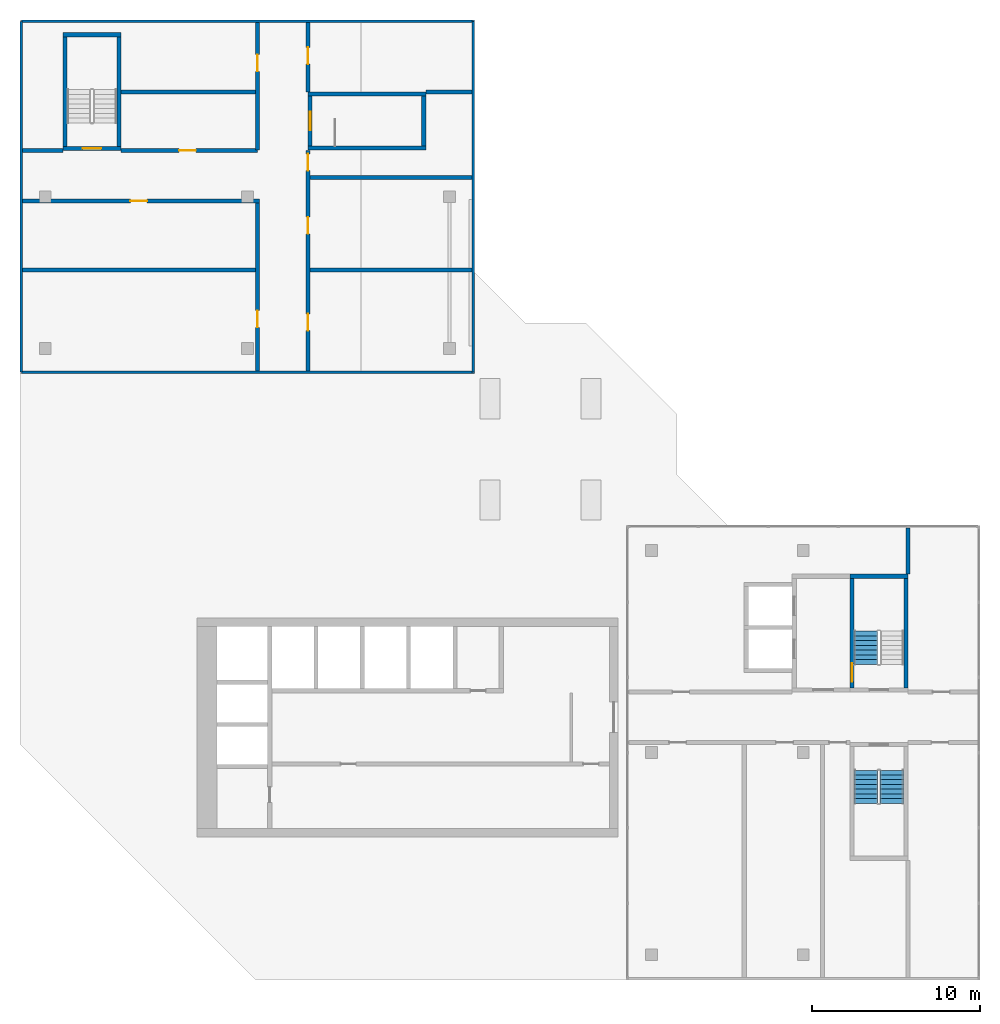
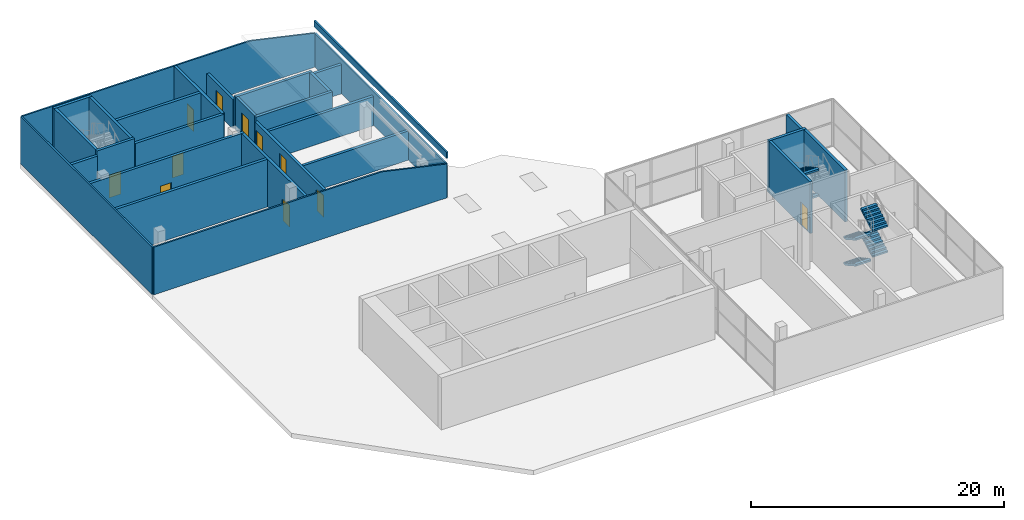
# One storey, part 6 of 8: 29 walls, 11 doors, 6 stair flights, 11 openings, 2 elements without a shape of their own.
"""IFC4 building model written with IfcOpenShell, lengths in metres."""

from ifc_helpers import new_model, si_unit, direction, frame, frame_2d, origin, place, context, subcontext, project, spatial, polyline, rectangle, outline, extrude, material, layer, layer_set, type_object, element, fill, aggregate, save


model = new_model("IFC4")

# Units and contexts
model_context = context("Model", 3, precision=1e-05, world=origin(), true_north=direction((0.0, 1.0)))
body_context = subcontext(model_context, "Body", "Model", "MODEL_VIEW")
ifc_project = project(units=[si_unit("LENGTHUNIT", "METRE"), si_unit("AREAUNIT", "SQUARE_METRE"), si_unit("VOLUMEUNIT", "CUBIC_METRE"), si_unit("PLANEANGLEUNIT", "RADIAN"), si_unit("MASSUNIT", "GRAM", prefix="KILO")], contexts=[model_context])

# Site, building, storey
site_placement = place(None, origin())
site = spatial("IfcSite", under=ifc_project, at=site_placement, CompositionType="ELEMENT")
building_placement = place(site_placement, origin())
building = spatial("IfcBuilding", under=site, at=building_placement, Name="Chenar Terraces", CompositionType="ELEMENT")
storey_placement = place(building_placement, frame((0.0, 0.0, 383.89990234375)))
storey = spatial("IfcBuildingStorey", under=building, at=storey_placement, Name="L90", CompositionType="ELEMENT", Elevation=383.89990234375)

# Wall
ifc_material_1 = material(Name="Concrete C40/50", Category="concrete")
ifc_layer_1 = layer(ifc_material_1, 0.25)
ifc_layer_set_1 = layer_set([ifc_layer_1], Name="Concrete C40/50")
wall_type_1 = type_object("IfcWallType", Name="Core wall 250 Concrete C40/50", PredefinedType="SHEAR", material=ifc_layer_set_1)
wall_1_placement = place(storey_placement, frame((47.77490234375, 22.47509765625, 0.0), z_axis=(0.0, 0.0, 1.0), x_axis=(1.0, 0.0, 0.0)))
element("IfcWall", 1, at=wall_1_placement, inside=storey, type_object=wall_type_1, Name="Core wall ST3_N L90", PredefinedType="SHEAR", context=body_context, shape_type="SweptSolid", body=[
    extrude(rectangle(XDim=3.4501953125, YDim=0.25, at=frame_2d((1.72509765625, 0.0))), origin(), (0.0, 0.0, 1.0), 5.0),
])

# Wall, opening, door
wall_2_placement = place(storey_placement, frame((47.89990234375, 15.85009765625, 0.0), z_axis=(0.0, 0.0, 1.0), x_axis=(0.0, 1.0, 0.0)))
wall_2 = element("IfcWall", 2, at=wall_2_placement, inside=storey, type_object=wall_type_1, Name="Core wall ST3_W L90", PredefinedType="SHEAR", context=body_context, shape_type="SweptSolid", body=[
    extrude(rectangle(XDim=6.5, YDim=0.25, at=frame_2d((3.25, 0.0))), origin(), (0.0, 0.0, 1.0), 5.0),
])
opening_1_placement = place(wall_2_placement, frame((0.35009765625, 0.0, 0.0)))
opening_1 = element("IfcOpeningElement", 3, at=opening_1_placement, cuts=wall_2, Name="Opening DL90-C8", PredefinedType="OPENING", context=body_context, shape_type="SweptSolid", body=[
    extrude(rectangle(XDim=1.10009765625, YDim=2.199951171875, at=frame_2d((0.550048828125, 1.10009765625))), frame((0.0, 0.135009765625, 0.0), z_axis=(0.0, -1.0, 0.0), x_axis=(1.0, 0.0, 0.0)), (0.0, 0.0, 1.0), 0.27001953125),
])
ifc_material_2 = material(Name="Steel-framed fire-resisting door leaf", Category="steel")
door_type_1 = type_object("IfcDoorType", Name="Stair fire door FD60 1100 x 2200", OperationType="SINGLE_SWING_LEFT", PredefinedType="DOOR", material=ifc_material_2)
door_1_placement = place(opening_1_placement, origin())
door_1 = element("IfcDoor", 4, at=door_1_placement, inside=storey, type_object=door_type_1, Name="Stair door DL90-C8", OperationType="SINGLE_SWING_LEFT", OverallHeight=2.199951171875, OverallWidth=1.10009765625, PredefinedType="DOOR", context=body_context, shape_type="SweptSolid", body=[
    extrude(rectangle(XDim=1.10009765625, YDim=2.199951171875, at=frame_2d((0.550048828125, 1.10009765625))), frame((0.0, 0.02490234375, 0.0), z_axis=(0.0, -1.0, 0.0), x_axis=(1.0, 0.0, 0.0)), (0.0, 0.0, 1.0), 0.050048828125),
])
fill(opening_1, door_1)

# Walls
wall_3_placement = place(storey_placement, frame((51.10009765625, 15.85009765625, 0.0), z_axis=(0.0, 0.0, 1.0), x_axis=(0.0, 1.0, 0.0)))
element("IfcWall", 5, at=wall_3_placement, inside=storey, type_object=wall_type_1, Name="Core wall ST3_E L90", PredefinedType="SHEAR", context=body_context, shape_type="SweptSolid", body=[
    extrude(rectangle(XDim=6.5, YDim=0.25, at=frame_2d((3.25, 0.0))), origin(), (0.0, 0.0, 1.0), 5.0),
])
for number, where, z_axis, x_axis, name in (
    (6, (15.60009765625, 47.89990234375, 0.0), (0.0, 0.0, 1.0), (1.0, 0.0, 0.0), "Core wall ST4_S L90"),
    (7, (15.60009765625, 51.10009765625, 0.0), (0.0, 0.0, 1.0), (1.0, 0.0, 0.0), "Core wall ST4_N L90"),
):
    element("IfcWall", number, at=place(storey_placement, frame(where, z_axis=z_axis, x_axis=x_axis)), inside=storey, type_object=wall_type_1, Name=name, PredefinedType="SHEAR", context=body_context, shape_type="SweptSolid", body=[
        extrude(rectangle(XDim=7.0, YDim=0.25, at=frame_2d((3.5, 0.0))), origin(), (0.0, 0.0, 1.0), 3.170166015625),
    ])

# Wall, opening, door
wall_4_placement = place(storey_placement, frame((15.72509765625, 48.02490234375, 0.0), z_axis=(0.0, 0.0, 1.0), x_axis=(0.0, 1.0, 0.0)))
wall_4 = element("IfcWall", 8, at=wall_4_placement, inside=storey, type_object=wall_type_1, Name="Core wall ST4_W L90", PredefinedType="SHEAR", context=body_context, shape_type="SweptSolid", body=[
    extrude(rectangle(XDim=2.9501953125, YDim=0.25, at=frame_2d((1.47509765625, 0.0))), origin(), (0.0, 0.0, 1.0), 3.170166015625),
])
opening_2_placement = place(wall_4_placement, frame((0.925048828125, 0.0, 0.0)))
opening_2 = element("IfcOpeningElement", 9, at=opening_2_placement, cuts=wall_4, Name="Opening DL90-C4", PredefinedType="OPENING", context=body_context, shape_type="SweptSolid", body=[
    extrude(rectangle(XDim=1.10009765625, YDim=2.199951171875, at=frame_2d((0.550048828125, 1.10009765625))), frame((0.0, 0.135009765625, 0.0), z_axis=(0.0, -1.0, 0.0), x_axis=(1.0, 0.0, 0.0)), (0.0, 0.0, 1.0), 0.27001953125),
])
door_2_placement = place(opening_2_placement, frame((1.10009765625, 0.0, 0.0), z_axis=(0.0, 0.0, 1.0), x_axis=(-1.0, 0.0, 0.0)))
door_2 = element("IfcDoor", 10, at=door_2_placement, inside=storey, type_object=door_type_1, Name="Stair door DL90-C4", OperationType="SINGLE_SWING_RIGHT", OverallHeight=2.199951171875, OverallWidth=1.10009765625, PredefinedType="DOOR", context=body_context, shape_type="SweptSolid", body=[
    extrude(rectangle(XDim=1.10009765625, YDim=2.199951171875, at=frame_2d((0.550048828125, 1.10009765625))), frame((0.0, 0.02490234375, 0.0), z_axis=(0.0, -1.0, 0.0), x_axis=(1.0, 0.0, 0.0)), (0.0, 0.0, 1.0), 0.050048828125),
])
fill(opening_2, door_2)

# Wall
wall_5_placement = place(storey_placement, frame((22.47509765625, 48.02490234375, 0.0), z_axis=(0.0, 0.0, 1.0), x_axis=(0.0, 1.0, 0.0)))
element("IfcWall", 11, at=wall_5_placement, inside=storey, type_object=wall_type_1, Name="Core wall ST4_E L90", PredefinedType="SHEAR", context=body_context, shape_type="SweptSolid", body=[
    extrude(rectangle(XDim=2.9501953125, YDim=0.25, at=frame_2d((1.47509765625, 0.0))), origin(), (0.0, 0.0, 1.0), 3.170166015625),
])

# Wall, opening, door
wall_6_placement = place(storey_placement, frame((1.050048828125, 47.875, 0.0), z_axis=(0.0, 0.0, 1.0), x_axis=(1.0, 0.0, 0.0)))
wall_6 = element("IfcWall", 12, at=wall_6_placement, inside=storey, type_object=wall_type_1, Name="Core wall ST6_S L90", PredefinedType="SHEAR", context=body_context, shape_type="SweptSolid", body=[
    extrude(rectangle(XDim=3.449951171875, YDim=0.25, at=frame_2d((1.72509765625, 0.0))), origin(), (0.0, 0.0, 1.0), 5.0),
])
opening_3_placement = place(wall_6_placement, frame((1.175048828125, 0.0, 0.0)))
opening_3 = element("IfcOpeningElement", 13, at=opening_3_placement, cuts=wall_6, Name="Opening DL90-C6", PredefinedType="OPENING", context=body_context, shape_type="SweptSolid", body=[
    extrude(rectangle(XDim=1.10009765625, YDim=2.199951171875, at=frame_2d((0.550048828125, 1.10009765625))), frame((0.0, 0.135009765625, 0.0), z_axis=(0.0, -1.0, 0.0), x_axis=(1.0, 0.0, 0.0)), (0.0, 0.0, 1.0), 0.27001953125),
])
door_3_placement = place(opening_3_placement, origin())
door_3 = element("IfcDoor", 14, at=door_3_placement, inside=storey, type_object=door_type_1, Name="Stair door DL90-C6", OperationType="SINGLE_SWING_RIGHT", OverallHeight=2.199951171875, OverallWidth=1.10009765625, PredefinedType="DOOR", context=body_context, shape_type="SweptSolid", body=[
    extrude(rectangle(XDim=1.10009765625, YDim=2.199951171875, at=frame_2d((0.550048828125, 1.10009765625))), frame((0.0, 0.02490234375, 0.0), z_axis=(0.0, -1.0, 0.0), x_axis=(1.0, 0.0, 0.0)), (0.0, 0.0, 1.0), 0.050048828125),
])
fill(opening_3, door_3)

# Walls
wall_7_placement = place(storey_placement, frame((1.050048828125, 54.625, 0.0), z_axis=(0.0, 0.0, 1.0), x_axis=(1.0, 0.0, 0.0)))
element("IfcWall", 15, at=wall_7_placement, inside=storey, type_object=wall_type_1, Name="Core wall ST6_N L90", PredefinedType="SHEAR", context=body_context, shape_type="SweptSolid", body=[
    extrude(rectangle(XDim=3.449951171875, YDim=0.25, at=frame_2d((1.72509765625, 0.0))), origin(), (0.0, 0.0, 1.0), 5.0),
])
for number, where, z_axis, x_axis, name in (
    (16, (1.175048828125, 48.0, 0.0), (0.0, 0.0, 1.0), (0.0, 1.0, 0.0), "Core wall ST6_W L90"),
    (17, (4.375, 48.0, 0.0), (0.0, 0.0, 1.0), (0.0, 1.0, 0.0), "Core wall ST6_E L90"),
):
    element("IfcWall", number, at=place(storey_placement, frame(where, z_axis=z_axis, x_axis=x_axis)), inside=storey, type_object=wall_type_1, Name=name, PredefinedType="SHEAR", context=body_context, shape_type="SweptSolid", body=[
        extrude(rectangle(XDim=6.5, YDim=0.25, at=frame_2d((3.25, 0.0))), origin(), (0.0, 0.0, 1.0), 5.0),
    ])
ifc_material_3 = material(Name="Terracotta cladding on insulated backing", Category="masonry")
ifc_layer_2 = layer(ifc_material_3, 0.14990234375)
ifc_layer_set_2 = layer_set([ifc_layer_2], Name="Terracotta cladding on insulated backing")
wall_type_2 = type_object("IfcWallType", Name="Crown parapet 150", PredefinedType="PARAPET", material=ifc_layer_set_2)
wall_8_placement = place(storey_placement, frame((25.425048828125, 34.5, 3.80712890625), z_axis=(0.0, 0.0, 1.0), x_axis=(0.0, 1.0, 0.0)))
element("IfcWall", 18, at=wall_8_placement, inside=storey, type_object=wall_type_2, Name="Crown parapet", PredefinedType="PARAPET", context=body_context, shape_type="SweptSolid", body=[
    extrude(rectangle(XDim=21.0, YDim=0.14990234375, at=frame_2d((10.5, 0.0))), origin(), (0.0, 0.0, 1.0), 0.599853515625),
])
ifc_material_4 = material(Name="Terracotta cladding on insulated backing", Category="masonry")
ifc_layer_3 = layer(ifc_material_4, 0.14990234375)
ifc_layer_set_3 = layer_set([ifc_layer_3], Name="Terracotta cladding on insulated backing")
wall_type_3 = type_object("IfcWallType", Name="Crown terracotta wall 150", PredefinedType="SOLIDWALL", material=ifc_layer_set_3)
wall_9_placement = place(storey_placement, frame((25.425048828125, 34.60009765625, 0.0), z_axis=(0.0, 0.0, 1.0), x_axis=(0.0, 1.0, 0.0)))
element("IfcWall", 19, at=wall_9_placement, inside=storey, type_object=wall_type_3, Name="Crown terracotta wall", PredefinedType="SOLIDWALL", context=body_context, shape_type="SweptSolid", body=[
    extrude(outline(polyline([(0.0, 0.0), (20.7998046875, 0.0), (20.800048828125, 3.260986328125), (0.0, 3.260986328125), (0.0, 0.0)])), frame((0.0, 0.074951171875, 0.0), z_axis=(0.0, -1.0, 0.0), x_axis=(1.0, 0.0, 0.0)), (0.0, 0.0, 1.0), 0.14990234375),
])
wall_10_placement = place(storey_placement, frame((25.39990234375, 55.425048828125, 0.0), z_axis=(0.0, 0.0, 1.0), x_axis=(-1.0, 0.0, 0.0)))
element("IfcWall", 20, at=wall_10_placement, inside=storey, type_object=wall_type_3, Name="Crown terracotta wall", PredefinedType="SOLIDWALL", context=body_context, shape_type="SweptSolid", body=[
    extrude(outline(polyline([(0.0, 0.0), (26.7998046875, 0.0), (26.800048828125, 4.60009765625), (6.947998046875, 4.60009765625), (5.95556640625, 4.591064453125), (0.0, 3.26611328125), (0.0, 0.0)])), frame((0.0, 0.074951171875, 0.0), z_axis=(0.0, -1.0, 0.0), x_axis=(1.0, 0.0, 0.0)), (0.0, 0.0, 1.0), 0.14990234375),
])
wall_11_placement = place(storey_placement, frame((-1.425048828125, 55.39990234375, 0.0), z_axis=(0.0, 0.0, 1.0), x_axis=(0.0, -1.0, 0.0)))
element("IfcWall", 21, at=wall_11_placement, inside=storey, type_object=wall_type_3, Name="Crown terracotta wall", PredefinedType="SOLIDWALL", context=body_context, shape_type="SweptSolid", body=[
    extrude(rectangle(XDim=20.7998046875, YDim=0.14990234375, at=frame_2d((10.39990234375, 0.0))), origin(), (0.0, 0.0, 1.0), 4.60009765625),
])
wall_12_placement = place(storey_placement, frame((-1.39990234375, 34.574951171875, 0.0), z_axis=(0.0, 0.0, 1.0), x_axis=(1.0, 0.0, 0.0)))
element("IfcWall", 22, at=wall_12_placement, inside=storey, type_object=wall_type_3, Name="Crown terracotta wall", PredefinedType="SOLIDWALL", context=body_context, shape_type="SweptSolid", body=[
    extrude(outline(polyline([(0.0, 0.0), (26.7998046875, 0.0), (26.800048828125, 3.26611328125), (20.844482421875, 4.591064453125), (19.851806640625, 4.60009765625), (0.0, 4.60009765625), (0.0, 0.0)])), frame((0.0, 0.074951171875, 0.0), z_axis=(0.0, -1.0, 0.0), x_axis=(1.0, 0.0, 0.0)), (0.0, 0.0, 1.0), 0.14990234375),
])
ifc_material_5 = material(Name="Fire-board and steel stud wall with mineral wool", Category="steel")
ifc_layer_4 = layer(ifc_material_5, 0.25)
ifc_layer_set_4 = layer_set([ifc_layer_4], Name="Fire-board and steel stud wall with mineral wool")
wall_type_4 = type_object("IfcWallType", Name="Plant room wall 250", PredefinedType="PARTITIONING", material=ifc_layer_set_4)
wall_13_placement = place(storey_placement, frame((-1.35009765625, 40.64990234375, 0.0), z_axis=(0.0, 0.0, 1.0), x_axis=(1.0, 0.0, 0.0)))
element("IfcWall", 23, at=wall_13_placement, inside=storey, type_object=wall_type_4, Name="Partition L90-001", PredefinedType="PARTITIONING", context=body_context, shape_type="SweptSolid", body=[
    extrude(rectangle(XDim=13.8251953125, YDim=0.25, at=frame_2d((6.91259765625, 0.0))), origin(), (0.0, 0.0, 1.0), 4.60009765625),
])

# Wall, opening, door
wall_14_placement = place(storey_placement, frame((-1.35009765625, 44.75, 0.0), z_axis=(0.0, 0.0, 1.0), x_axis=(1.0, 0.0, 0.0)))
wall_14 = element("IfcWall", 24, at=wall_14_placement, inside=storey, type_object=wall_type_4, Name="Partition L90-002", PredefinedType="PARTITIONING", context=body_context, shape_type="SweptSolid", body=[
    extrude(rectangle(XDim=14.0751953125, YDim=0.25, at=frame_2d((7.03759765625, 0.0))), origin(), (0.0, 0.0, 1.0), 4.60009765625),
])
opening_4_placement = place(wall_14_placement, frame((6.39990234375, 0.0, 0.0)))
opening_4 = element("IfcOpeningElement", 25, at=opening_4_placement, cuts=wall_14, Name="Opening DL90-12", PredefinedType="OPENING", context=body_context, shape_type="SweptSolid", body=[
    extrude(rectangle(XDim=1.0, YDim=2.10009765625, at=frame_2d((0.5, 1.050048828125))), frame((0.0, 0.135009765625, 0.0), z_axis=(0.0, -1.0, 0.0), x_axis=(1.0, 0.0, 0.0)), (0.0, 0.0, 1.0), 0.27001953125),
])
ifc_material_6 = material(Name="Steel-framed fire-resisting door leaf", Category="steel")
door_type_2 = type_object("IfcDoorType", Name="Fire door FD120 1000 x 2100", OperationType="SINGLE_SWING_LEFT", PredefinedType="DOOR", material=ifc_material_6)
door_4_placement = place(opening_4_placement, frame((1.0, 0.0, 0.0), z_axis=(0.0, 0.0, 1.0), x_axis=(-1.0, 0.0, 0.0)))
door_4 = element("IfcDoor", 26, at=door_4_placement, inside=storey, type_object=door_type_2, Name="Door DL90-12", OperationType="SINGLE_SWING_LEFT", OverallHeight=2.10009765625, OverallWidth=1.0, PredefinedType="DOOR", context=body_context, shape_type="SweptSolid", body=[
    extrude(rectangle(XDim=1.0, YDim=2.10009765625, at=frame_2d((0.5, 1.050048828125))), frame((0.0, 0.02490234375, 0.0), z_axis=(0.0, -1.0, 0.0), x_axis=(1.0, 0.0, 0.0)), (0.0, 0.0, 1.0), 0.050048828125),
])
fill(opening_4, door_4)

# Wall
wall_15_placement = place(storey_placement, frame((-1.35009765625, 47.75, 0.0), z_axis=(0.0, 0.0, 1.0), x_axis=(1.0, 0.0, 0.0)))
element("IfcWall", 27, at=wall_15_placement, inside=storey, type_object=wall_type_4, Name="Partition L90-003", PredefinedType="PARTITIONING", context=body_context, shape_type="SweptSolid", body=[
    extrude(rectangle(XDim=2.400146484375, YDim=0.25, at=frame_2d((1.2001953125, 0.0))), origin(), (0.0, 0.0, 1.0), 4.60009765625),
])

# Wall, opening, door
wall_16_placement = place(storey_placement, frame((4.5, 47.75, 0.0), z_axis=(0.0, 0.0, 1.0), x_axis=(1.0, 0.0, 0.0)))
wall_16 = element("IfcWall", 28, at=wall_16_placement, inside=storey, type_object=wall_type_4, Name="Partition L90-004", PredefinedType="PARTITIONING", context=body_context, shape_type="SweptSolid", body=[
    extrude(rectangle(XDim=8.10009765625, YDim=0.25, at=frame_2d((4.050048828125, 0.0))), origin(), (0.0, 0.0, 1.0), 4.60009765625),
])
opening_5_placement = place(wall_16_placement, frame((3.449951171875, 0.0, 0.0)))
opening_5 = element("IfcOpeningElement", 29, at=opening_5_placement, cuts=wall_16, Name="Opening DL90-13", PredefinedType="OPENING", context=body_context, shape_type="SweptSolid", body=[
    extrude(rectangle(XDim=1.0, YDim=2.10009765625, at=frame_2d((0.5, 1.050048828125))), frame((0.0, 0.135009765625, 0.0), z_axis=(0.0, -1.0, 0.0), x_axis=(1.0, 0.0, 0.0)), (0.0, 0.0, 1.0), 0.27001953125),
])
door_5_placement = place(opening_5_placement, origin())
door_5 = element("IfcDoor", 30, at=door_5_placement, inside=storey, type_object=door_type_2, Name="Door DL90-13", OperationType="SINGLE_SWING_RIGHT", OverallHeight=2.10009765625, OverallWidth=1.0, PredefinedType="DOOR", context=body_context, shape_type="SweptSolid", body=[
    extrude(rectangle(XDim=1.0, YDim=2.10009765625, at=frame_2d((0.5, 1.050048828125))), frame((0.0, 0.02490234375, 0.0), z_axis=(0.0, -1.0, 0.0), x_axis=(1.0, 0.0, 0.0)), (0.0, 0.0, 1.0), 0.050048828125),
])
fill(opening_5, door_5)

# Wall
wall_17_placement = place(storey_placement, frame((4.5, 51.22509765625, 0.0), z_axis=(0.0, 0.0, 1.0), x_axis=(1.0, 0.0, 0.0)))
element("IfcWall", 31, at=wall_17_placement, inside=storey, type_object=wall_type_4, Name="Partition L90-005", PredefinedType="PARTITIONING", context=body_context, shape_type="SweptSolid", body=[
    extrude(rectangle(XDim=7.97509765625, YDim=0.25, at=frame_2d((3.987548828125, 0.0))), origin(), (0.0, 0.0, 1.0), 4.60009765625),
])

# Wall, opening, door
wall_18_placement = place(storey_placement, frame((12.60009765625, 34.64990234375, 0.0), z_axis=(0.0, 0.0, 1.0), x_axis=(0.0, 1.0, 0.0)))
wall_18 = element("IfcWall", 32, at=wall_18_placement, inside=storey, type_object=wall_type_4, Name="Partition L90-006", PredefinedType="PARTITIONING", context=body_context, shape_type="SweptSolid", body=[
    extrude(rectangle(XDim=9.97509765625, YDim=0.25, at=frame_2d((4.987548828125, 0.0))), origin(), (0.0, 0.0, 1.0), 4.60009765625),
])
opening_6_placement = place(wall_18_placement, frame((2.60009765625, 0.0, 0.0)))
opening_6 = element("IfcOpeningElement", 33, at=opening_6_placement, cuts=wall_18, Name="Opening DL90-11", PredefinedType="OPENING", context=body_context, shape_type="SweptSolid", body=[
    extrude(rectangle(XDim=1.0, YDim=2.10009765625, at=frame_2d((0.5, 1.050048828125))), frame((0.0, 0.135009765625, 0.0), z_axis=(0.0, -1.0, 0.0), x_axis=(1.0, 0.0, 0.0)), (0.0, 0.0, 1.0), 0.27001953125),
])
door_6_placement = place(opening_6_placement, origin())
door_6 = element("IfcDoor", 34, at=door_6_placement, inside=storey, type_object=door_type_2, Name="Door DL90-11", OperationType="SINGLE_SWING_RIGHT", OverallHeight=2.10009765625, OverallWidth=1.0, PredefinedType="DOOR", context=body_context, shape_type="SweptSolid", body=[
    extrude(rectangle(XDim=1.0, YDim=2.10009765625, at=frame_2d((0.5, 1.050048828125))), frame((0.0, 0.02490234375, 0.0), z_axis=(0.0, -1.0, 0.0), x_axis=(1.0, 0.0, 0.0)), (0.0, 0.0, 1.0), 0.050048828125),
])
fill(opening_6, door_6)

wall_19_placement = place(storey_placement, frame((12.60009765625, 47.77490234375, 0.0), z_axis=(0.0, 0.0, 1.0), x_axis=(0.0, 1.0, 0.0)))
wall_19 = element("IfcWall", 35, at=wall_19_placement, inside=storey, type_object=wall_type_4, Name="Partition L90-007", PredefinedType="PARTITIONING", context=body_context, shape_type="SweptSolid", body=[
    extrude(rectangle(XDim=7.5751953125, YDim=0.25, at=frame_2d((3.78759765625, 0.0))), origin(), (0.0, 0.0, 1.0), 4.60009765625),
])
opening_7_placement = place(wall_19_placement, frame((4.675048828125, 0.0, 0.0)))
opening_7 = element("IfcOpeningElement", 36, at=opening_7_placement, cuts=wall_19, Name="Opening DL90-14", PredefinedType="OPENING", context=body_context, shape_type="SweptSolid", body=[
    extrude(rectangle(XDim=1.0, YDim=2.10009765625, at=frame_2d((0.5, 1.050048828125))), frame((0.0, 0.135009765625, 0.0), z_axis=(0.0, -1.0, 0.0), x_axis=(1.0, 0.0, 0.0)), (0.0, 0.0, 1.0), 0.27001953125),
])
door_7_placement = place(opening_7_placement, origin())
door_7 = element("IfcDoor", 37, at=door_7_placement, inside=storey, type_object=door_type_2, Name="Door DL90-14", OperationType="SINGLE_SWING_LEFT", OverallHeight=2.10009765625, OverallWidth=1.0, PredefinedType="DOOR", context=body_context, shape_type="SweptSolid", body=[
    extrude(rectangle(XDim=1.0, YDim=2.10009765625, at=frame_2d((0.5, 1.050048828125))), frame((0.0, 0.02490234375, 0.0), z_axis=(0.0, -1.0, 0.0), x_axis=(1.0, 0.0, 0.0)), (0.0, 0.0, 1.0), 0.050048828125),
])
fill(opening_7, door_7)

# Wall, openings, doors
wall_20_placement = place(storey_placement, frame((15.60009765625, 34.64990234375, 0.0), z_axis=(0.0, 0.0, 1.0), x_axis=(0.0, 1.0, 0.0)))
wall_20 = element("IfcWall", 38, at=wall_20_placement, inside=storey, type_object=wall_type_4, Name="Partition L90-008", PredefinedType="PARTITIONING", context=body_context, shape_type="SweptSolid", body=[
    extrude(rectangle(XDim=13.10009765625, YDim=0.25, at=frame_2d((6.550048828125, 0.0))), origin(), (0.0, 0.0, 1.0), 2.817138671875),
])
opening_8_placement = place(wall_20_placement, frame((2.39990234375, 0.0, 0.0)))
opening_8 = element("IfcOpeningElement", 39, at=opening_8_placement, cuts=wall_20, Name="Opening DL90-7", PredefinedType="OPENING", context=body_context, shape_type="SweptSolid", body=[
    extrude(rectangle(XDim=1.0, YDim=2.10009765625, at=frame_2d((0.5, 1.050048828125))), frame((0.0, 0.135009765625, 0.0), z_axis=(0.0, -1.0, 0.0), x_axis=(1.0, 0.0, 0.0)), (0.0, 0.0, 1.0), 0.27001953125),
])
opening_9_placement = place(wall_20_placement, frame((8.14990234375, 0.0, 0.0)))
opening_9 = element("IfcOpeningElement", 40, at=opening_9_placement, cuts=wall_20, Name="Opening DL90-8", PredefinedType="OPENING", context=body_context, shape_type="SweptSolid", body=[
    extrude(rectangle(XDim=1.0, YDim=2.10009765625, at=frame_2d((0.5, 1.050048828125))), frame((0.0, 0.135009765625, 0.0), z_axis=(0.0, -1.0, 0.0), x_axis=(1.0, 0.0, 0.0)), (0.0, 0.0, 1.0), 0.27001953125),
])
opening_10_placement = place(wall_20_placement, frame((11.89990234375, 0.0, 0.0)))
opening_10 = element("IfcOpeningElement", 41, at=opening_10_placement, cuts=wall_20, Name="Opening DL90-9", PredefinedType="OPENING", context=body_context, shape_type="SweptSolid", body=[
    extrude(rectangle(XDim=1.0, YDim=2.10009765625, at=frame_2d((0.5, 1.050048828125))), frame((0.0, 0.135009765625, 0.0), z_axis=(0.0, -1.0, 0.0), x_axis=(1.0, 0.0, 0.0)), (0.0, 0.0, 1.0), 0.27001953125),
])
door_8_placement = place(opening_8_placement, frame((1.0, 0.0, 0.0), z_axis=(0.0, 0.0, 1.0), x_axis=(-1.0, 0.0, 0.0)))
door_8 = element("IfcDoor", 42, at=door_8_placement, inside=storey, type_object=door_type_2, Name="Door DL90-7", OperationType="SINGLE_SWING_LEFT", OverallHeight=2.10009765625, OverallWidth=1.0, PredefinedType="DOOR", context=body_context, shape_type="SweptSolid", body=[
    extrude(rectangle(XDim=1.0, YDim=2.10009765625, at=frame_2d((0.5, 1.050048828125))), frame((0.0, 0.02490234375, 0.0), z_axis=(0.0, -1.0, 0.0), x_axis=(1.0, 0.0, 0.0)), (0.0, 0.0, 1.0), 0.050048828125),
])
fill(opening_8, door_8)
door_9_placement = place(opening_9_placement, frame((1.0, 0.0, 0.0), z_axis=(0.0, 0.0, 1.0), x_axis=(-1.0, 0.0, 0.0)))
door_9 = element("IfcDoor", 43, at=door_9_placement, inside=storey, type_object=door_type_2, Name="Door DL90-8", OperationType="SINGLE_SWING_LEFT", OverallHeight=2.10009765625, OverallWidth=1.0, PredefinedType="DOOR", context=body_context, shape_type="SweptSolid", body=[
    extrude(rectangle(XDim=1.0, YDim=2.10009765625, at=frame_2d((0.5, 1.050048828125))), frame((0.0, 0.02490234375, 0.0), z_axis=(0.0, -1.0, 0.0), x_axis=(1.0, 0.0, 0.0)), (0.0, 0.0, 1.0), 0.050048828125),
])
fill(opening_9, door_9)
door_10_placement = place(opening_10_placement, frame((1.0, 0.0, 0.0), z_axis=(0.0, 0.0, 1.0), x_axis=(-1.0, 0.0, 0.0)))
door_10 = element("IfcDoor", 44, at=door_10_placement, inside=storey, type_object=door_type_2, Name="Door DL90-9", OperationType="SINGLE_SWING_RIGHT", OverallHeight=2.10009765625, OverallWidth=1.0, PredefinedType="DOOR", context=body_context, shape_type="SweptSolid", body=[
    extrude(rectangle(XDim=1.0, YDim=2.10009765625, at=frame_2d((0.5, 1.050048828125))), frame((0.0, 0.02490234375, 0.0), z_axis=(0.0, -1.0, 0.0), x_axis=(1.0, 0.0, 0.0)), (0.0, 0.0, 1.0), 0.050048828125),
])
fill(opening_10, door_10)

# Wall, opening, door
wall_21_placement = place(storey_placement, frame((15.60009765625, 51.22509765625, 0.0), z_axis=(0.0, 0.0, 1.0), x_axis=(0.0, 1.0, 0.0)))
wall_21 = element("IfcWall", 45, at=wall_21_placement, inside=storey, type_object=wall_type_4, Name="Partition L90-009", PredefinedType="PARTITIONING", context=body_context, shape_type="SweptSolid", body=[
    extrude(rectangle(XDim=4.125, YDim=0.25, at=frame_2d((2.0625, 0.0))), origin(), (0.0, 0.0, 1.0), 2.817138671875),
])
opening_11_placement = place(wall_21_placement, frame((1.64990234375, 0.0, 0.0)))
opening_11 = element("IfcOpeningElement", 46, at=opening_11_placement, cuts=wall_21, Name="Opening DL90-10", PredefinedType="OPENING", context=body_context, shape_type="SweptSolid", body=[
    extrude(rectangle(XDim=1.0, YDim=2.10009765625, at=frame_2d((0.5, 1.050048828125))), frame((0.0, 0.135009765625, 0.0), z_axis=(0.0, -1.0, 0.0), x_axis=(1.0, 0.0, 0.0)), (0.0, 0.0, 1.0), 0.27001953125),
])
door_11_placement = place(opening_11_placement, frame((1.0, 0.0, 0.0), z_axis=(0.0, 0.0, 1.0), x_axis=(-1.0, 0.0, 0.0)))
door_11 = element("IfcDoor", 47, at=door_11_placement, inside=storey, type_object=door_type_2, Name="Door DL90-10", OperationType="SINGLE_SWING_LEFT", OverallHeight=2.10009765625, OverallWidth=1.0, PredefinedType="DOOR", context=body_context, shape_type="SweptSolid", body=[
    extrude(rectangle(XDim=1.0, YDim=2.10009765625, at=frame_2d((0.5, 1.050048828125))), frame((0.0, 0.02490234375, 0.0), z_axis=(0.0, -1.0, 0.0), x_axis=(1.0, 0.0, 0.0)), (0.0, 0.0, 1.0), 0.050048828125),
])
fill(opening_11, door_11)

# Walls
for number, where, z_axis, x_axis, name in (
    (48, (15.72509765625, 40.64990234375, 0.0), (0.0, 0.0, 1.0), (1.0, 0.0, 0.0), "Partition L90-010"),
    (49, (15.72509765625, 46.14990234375, 0.0), (0.0, 0.0, 1.0), (1.0, 0.0, 0.0), "Partition L90-011"),
):
    element("IfcWall", number, at=place(storey_placement, frame(where, z_axis=z_axis, x_axis=x_axis)), inside=storey, type_object=wall_type_4, Name=name, PredefinedType="PARTITIONING", context=body_context, shape_type="SweptSolid", body=[
        extrude(rectangle(XDim=9.625, YDim=0.25, at=frame_2d((4.8125, 0.0))), origin(), (0.0, 0.0, 1.0), 2.817138671875),
    ])
wall_22_placement = place(storey_placement, frame((22.60009765625, 51.22509765625, 0.0), z_axis=(0.0, 0.0, 1.0), x_axis=(1.0, 0.0, 0.0)))
element("IfcWall", 50, at=wall_22_placement, inside=storey, type_object=wall_type_4, Name="Partition L90-012", PredefinedType="PARTITIONING", context=body_context, shape_type="SweptSolid", body=[
    extrude(rectangle(XDim=2.75, YDim=0.25, at=frame_2d((1.375, 0.0))), origin(), (0.0, 0.0, 1.0), 2.817138671875),
])
wall_23_placement = place(storey_placement, frame((51.22509765625, 22.60009765625, 0.0), z_axis=(0.0, 0.0, 1.0), x_axis=(0.0, 1.0, 0.0)))
element("IfcWall", 51, at=wall_23_placement, inside=storey, type_object=wall_type_4, Name="Partition L90-020", PredefinedType="PARTITIONING", context=body_context, shape_type="SweptSolid", body=[
    extrude(rectangle(XDim=2.75, YDim=0.25, at=frame_2d((1.375, 0.0))), origin(), (0.0, 0.0, 1.0), 4.60009765625),
])

# Stair, stair flights
ifc_material_7 = material(Name="Reinforced concrete C40/50", Category="concrete")
stair_type = type_object("IfcStairType", Name="Core stair 1400 half-turn", PredefinedType="HALF_TURN_STAIR", material=ifc_material_7)
placement = place(storey_placement, origin())
stair_1 = element("IfcStair", 52, at=placement, inside=storey, type_object=stair_type, Name="L90 Stair 3", PredefinedType="HALF_TURN_STAIR")
ifc_material_8 = material(Name="Reinforced concrete C40/50", Category="concrete")
stair_flight_type = type_object("IfcStairFlightType", Name="Core stair flight 1400", PredefinedType="STRAIGHT", material=ifc_material_8)
stair_flight_1_placement = place(storey_placement, frame((48.72509765625, 19.2099609375, 1.25), z_axis=(0.0, 0.0, 1.0), x_axis=(0.0, -1.0, 0.0)))
stair_flight_1 = element("IfcStairFlight", 53, at=stair_flight_1_placement, type_object=stair_flight_type, Name="ST3 flight 2", NumberOfRisers=8, NumberOfTreads=7, PredefinedType="STRAIGHT", RiserHeight=0.15625, TreadLength=0.28, context=body_context, shape_type="SweptSolid", body=[
    extrude(outline(polyline([(-0.0029296875, 0.0), (-0.0029296875, 0.15625), (0.0, 0.15625), (0.280029296875, 0.15625), (0.280029296875, 0.3125), (0.56005859375, 0.3125), (0.56005859375, 0.46875), (0.840087890625, 0.46875), (0.840087890625, 0.625), (1.1201171875, 0.625), (1.1201171875, 0.78125), (1.39990234375, 0.78125), (1.39990234375, 0.9375), (1.679931640625, 0.9375), (1.679931640625, 1.09375), (1.9599609375, 1.09375), (1.962890625, 1.09375), (1.962890625, 0.922119140625), (1.9599609375, 0.922119140625), (0.3076171875, 0.0), (-0.0029296875, 0.0)])), frame((0.0, 0.699951171875, 0.0), z_axis=(0.0, -1.0, 0.0), x_axis=(1.0, 0.0, 0.0)), (0.0, 0.0, 1.0), 1.39990234375),
])
stair_flight_2_placement = place(storey_placement, frame((48.72509765625, 19.2099609375, 3.75), z_axis=(0.0, 0.0, 1.0), x_axis=(0.0, -1.0, 0.0)))
stair_flight_2 = element("IfcStairFlight", 54, at=stair_flight_2_placement, type_object=stair_flight_type, Name="ST3 flight 4", NumberOfRisers=8, NumberOfTreads=7, PredefinedType="STRAIGHT", RiserHeight=0.15625, TreadLength=0.28, context=body_context, shape_type="SweptSolid", body=[
    extrude(outline(polyline([(-0.0029296875, 0.0), (-0.0029296875, 0.15625), (0.0, 0.15625), (0.280029296875, 0.15625), (0.280029296875, 0.3125), (0.56005859375, 0.3125), (0.56005859375, 0.46875), (0.840087890625, 0.46875), (0.840087890625, 0.625), (1.1201171875, 0.625), (1.1201171875, 0.78125), (1.39990234375, 0.78125), (1.39990234375, 0.9375), (1.679931640625, 0.9375), (1.679931640625, 1.09375), (1.9599609375, 1.09375), (1.962890625, 1.09375), (1.962890625, 0.922119140625), (1.9599609375, 0.922119140625), (0.3076171875, 0.0), (-0.0029296875, 0.0)])), frame((0.0, 0.699951171875, 0.0), z_axis=(0.0, -1.0, 0.0), x_axis=(1.0, 0.0, 0.0)), (0.0, 0.0, 1.0), 1.39990234375),
])
aggregate(stair_1, [stair_flight_1, stair_flight_2])

stair_2 = element("IfcStair", 55, at=placement, inside=storey, type_object=stair_type, Name="L90 Stair 5", PredefinedType="HALF_TURN_STAIR")
stair_flight_3_placement = place(storey_placement, frame((48.72509765625, 10.949951171875, 0.0), z_axis=(0.0, 0.0, 1.0), x_axis=(0.0, -1.0, 0.0)))
stair_flight_3 = element("IfcStairFlight", 56, at=stair_flight_3_placement, type_object=stair_flight_type, Name="ST5 flight 1", NumberOfRisers=8, NumberOfTreads=7, PredefinedType="STRAIGHT", RiserHeight=0.15625, TreadLength=0.28, context=body_context, shape_type="SweptSolid", body=[
    extrude(outline(polyline([(-0.0029296875, 0.0), (-0.0029296875, 0.15625), (0.0, 0.15625), (0.280029296875, 0.15625), (0.280029296875, 0.3125), (0.56005859375, 0.3125), (0.56005859375, 0.46875), (0.840087890625, 0.46875), (0.840087890625, 0.625), (1.1201171875, 0.625), (1.1201171875, 0.78125), (1.39990234375, 0.78125), (1.39990234375, 0.9375), (1.679931640625, 0.9375), (1.679931640625, 1.09375), (1.9599609375, 1.09375), (1.962890625, 1.09375), (1.962890625, 0.922119140625), (1.9599609375, 0.922119140625), (0.3076171875, 0.0), (-0.0029296875, 0.0)])), frame((0.0, 0.699951171875, 0.0), z_axis=(0.0, -1.0, 0.0), x_axis=(1.0, 0.0, 0.0)), (0.0, 0.0, 1.0), 1.39990234375),
])
stair_flight_4_placement = place(storey_placement, frame((50.27490234375, 8.989990234375, 1.25), z_axis=(0.0, 0.0, 1.0), x_axis=(0.0, 1.0, 0.0)))
stair_flight_4 = element("IfcStairFlight", 57, at=stair_flight_4_placement, type_object=stair_flight_type, Name="ST5 flight 2", NumberOfRisers=8, NumberOfTreads=7, PredefinedType="STRAIGHT", RiserHeight=0.15625, TreadLength=0.28, context=body_context, shape_type="SweptSolid", body=[
    extrude(outline(polyline([(-0.0029296875, 0.0), (-0.0029296875, 0.15625), (0.0, 0.15625), (0.280029296875, 0.15625), (0.280029296875, 0.3125), (0.56005859375, 0.3125), (0.56005859375, 0.46875), (0.840087890625, 0.46875), (0.840087890625, 0.625), (1.1201171875, 0.625), (1.1201171875, 0.78125), (1.39990234375, 0.78125), (1.39990234375, 0.9375), (1.679931640625, 0.9375), (1.679931640625, 1.09375), (1.9599609375, 1.09375), (1.962890625, 1.09375), (1.962890625, 0.922119140625), (1.9599609375, 0.922119140625), (0.3076171875, 0.0), (-0.0029296875, 0.0)])), frame((0.0, 0.699951171875, 0.0), z_axis=(0.0, -1.0, 0.0), x_axis=(1.0, 0.0, 0.0)), (0.0, 0.0, 1.0), 1.39990234375),
])
stair_flight_5_placement = place(storey_placement, frame((48.72509765625, 10.949951171875, 2.5), z_axis=(0.0, 0.0, 1.0), x_axis=(0.0, -1.0, 0.0)))
stair_flight_5 = element("IfcStairFlight", 58, at=stair_flight_5_placement, type_object=stair_flight_type, Name="ST5 flight 3", NumberOfRisers=8, NumberOfTreads=7, PredefinedType="STRAIGHT", RiserHeight=0.15625, TreadLength=0.28, context=body_context, shape_type="SweptSolid", body=[
    extrude(outline(polyline([(-0.0029296875, 0.0), (-0.0029296875, 0.15625), (0.0, 0.15625), (0.280029296875, 0.15625), (0.280029296875, 0.3125), (0.56005859375, 0.3125), (0.56005859375, 0.46875), (0.840087890625, 0.46875), (0.840087890625, 0.625), (1.1201171875, 0.625), (1.1201171875, 0.78125), (1.39990234375, 0.78125), (1.39990234375, 0.9375), (1.679931640625, 0.9375), (1.679931640625, 1.09375), (1.9599609375, 1.09375), (1.962890625, 1.09375), (1.962890625, 0.922119140625), (1.9599609375, 0.922119140625), (0.3076171875, 0.0), (-0.0029296875, 0.0)])), frame((0.0, 0.699951171875, 0.0), z_axis=(0.0, -1.0, 0.0), x_axis=(1.0, 0.0, 0.0)), (0.0, 0.0, 1.0), 1.39990234375),
])
stair_flight_6_placement = place(storey_placement, frame((50.27490234375, 8.989990234375, 3.75), z_axis=(0.0, 0.0, 1.0), x_axis=(0.0, 1.0, 0.0)))
stair_flight_6 = element("IfcStairFlight", 59, at=stair_flight_6_placement, type_object=stair_flight_type, Name="ST5 flight 4", NumberOfRisers=8, NumberOfTreads=7, PredefinedType="STRAIGHT", RiserHeight=0.15625, TreadLength=0.28, context=body_context, shape_type="SweptSolid", body=[
    extrude(outline(polyline([(-0.0029296875, 0.0), (-0.0029296875, 0.15625), (0.0, 0.15625), (0.280029296875, 0.15625), (0.280029296875, 0.3125), (0.56005859375, 0.3125), (0.56005859375, 0.46875), (0.840087890625, 0.46875), (0.840087890625, 0.625), (1.1201171875, 0.625), (1.1201171875, 0.78125), (1.39990234375, 0.78125), (1.39990234375, 0.9375), (1.679931640625, 0.9375), (1.679931640625, 1.09375), (1.9599609375, 1.09375), (1.962890625, 1.09375), (1.962890625, 0.922119140625), (1.9599609375, 0.922119140625), (0.3076171875, 0.0), (-0.0029296875, 0.0)])), frame((0.0, 0.699951171875, 0.0), z_axis=(0.0, -1.0, 0.0), x_axis=(1.0, 0.0, 0.0)), (0.0, 0.0, 1.0), 1.39990234375),
])
aggregate(stair_2, [stair_flight_3, stair_flight_4, stair_flight_5, stair_flight_6])

save(model, "model.ifc")
